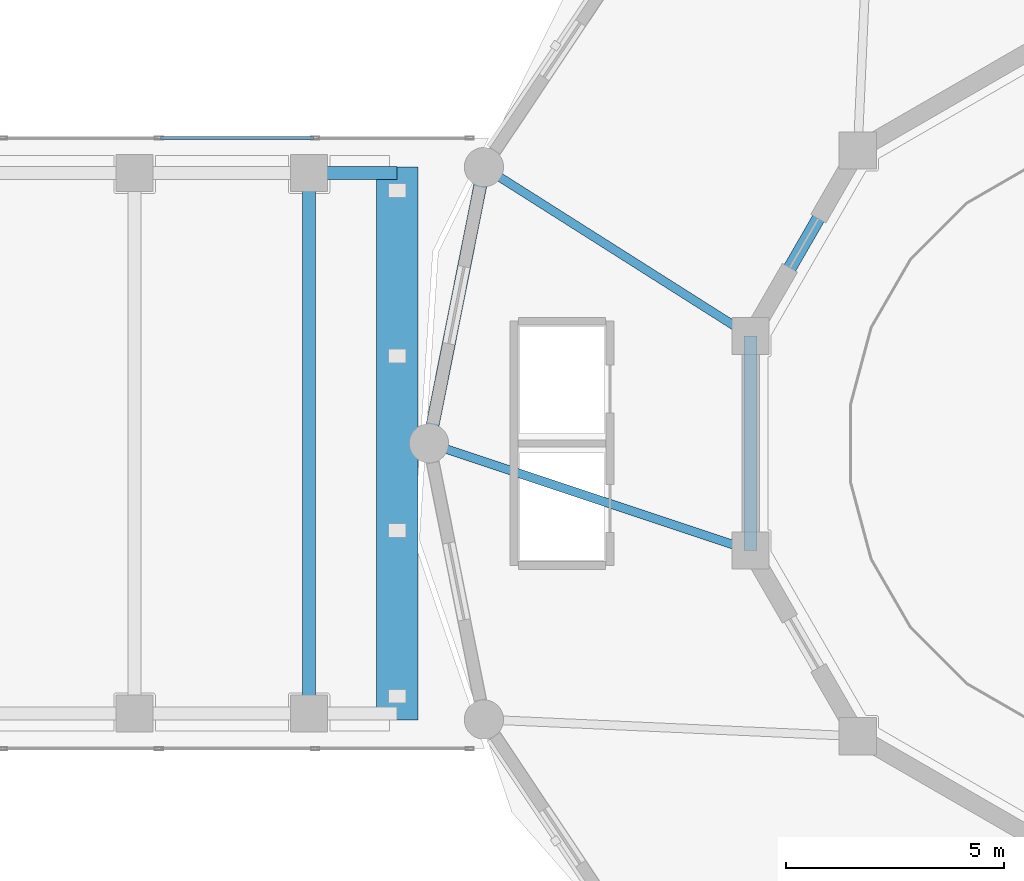
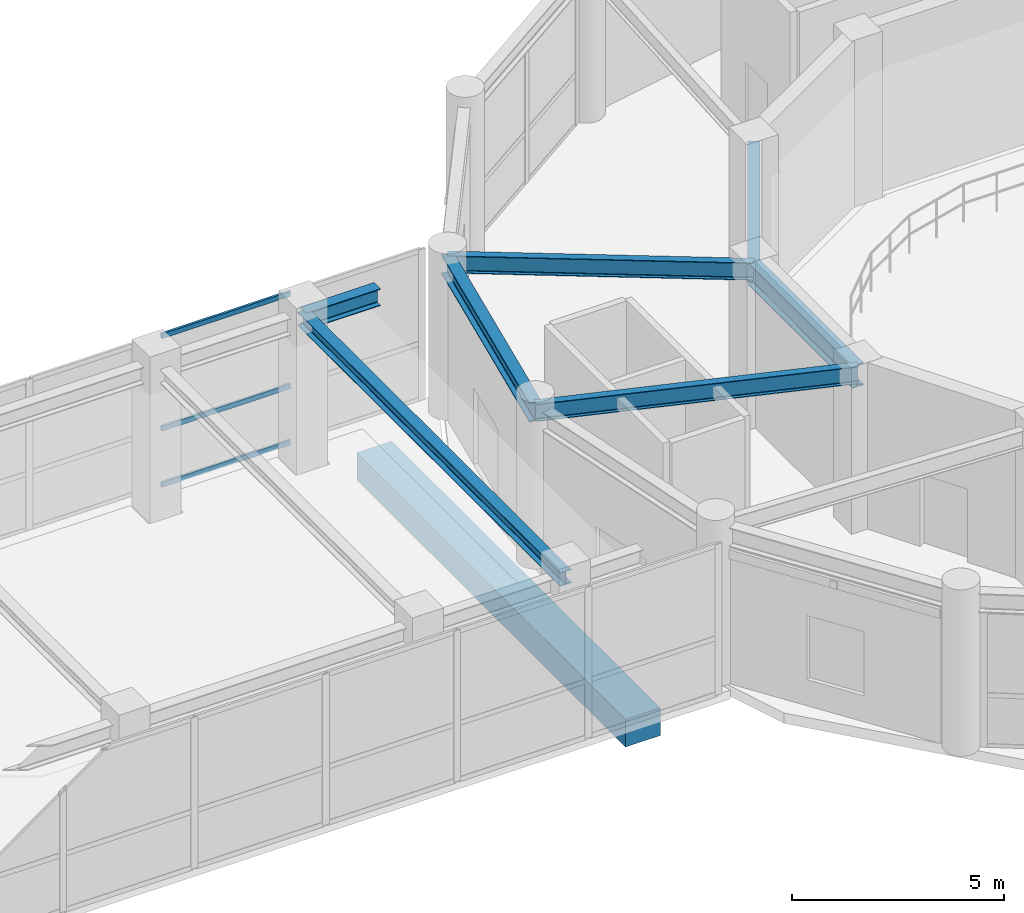
# One storey, part 23 of 44: 8 beams, 3 members, 1 element without a shape of its own.
"""IFC4 building model written with IfcOpenShell, lengths in metres."""

from ifc_helpers import new_model, si_unit, derived_unit, direction, frame, origin, origin_2d, place, context, subcontext, project, spatial, rectangle, hollow_rectangle, i_section, extrude, source, transform, mapped, material, layer, layer_set, material_profile, profile_set, type_object, element, aggregate, save


model = new_model("IFC4")

# Units and contexts
model_context = context("Model", 3, precision=1e-05, world=origin(), true_north=direction((0.0, 1.0)))
body_context = subcontext(model_context, "Body", "Model", "MODEL_VIEW")
ifc_project = project(units=[si_unit("LENGTHUNIT", "METRE"), si_unit("AREAUNIT", "SQUARE_METRE"), si_unit("VOLUMEUNIT", "CUBIC_METRE"), si_unit("PLANEANGLEUNIT", "RADIAN"), si_unit("MASSUNIT", "GRAM", prefix="KILO"), derived_unit("THERMALTRANSMITTANCEUNIT", [(si_unit("POWERUNIT", "WATT"), 1), (si_unit("LENGTHUNIT", "METRE"), -2), (si_unit("THERMODYNAMICTEMPERATUREUNIT", "KELVIN"), -1)])], contexts=[model_context])

# Site, building, storey
site_placement = place(None, origin())
site = spatial("IfcSite", under=ifc_project, at=site_placement, CompositionType="ELEMENT")
building_placement = place(site_placement, origin())
building = spatial("IfcBuilding", under=site, at=building_placement, Name="Korsvarv Bourse and Concert Hall", CompositionType="ELEMENT")
storey_placement = place(building_placement, frame((0.0, 0.0, 9.60009765625)))
storey = spatial("IfcBuildingStorey", under=building, at=storey_placement, Name="L02", CompositionType="ELEMENT", Elevation=9.60009765625)

# Beams
ifc_material_1 = material(Name="Concrete C50/60", Category="concrete")
ifc_material_profile_1 = material_profile(ifc_material_1, rectangle(XDim=0.949951171875, YDim=0.800048828125, at=origin_2d()), Name="RC-CRB 950x800")
ifc_profile_set_1 = profile_set([ifc_material_profile_1], Name="Concrete C50/60")
beam_type_1 = type_object("IfcBeamType", Name="BM-CRB-950", PredefinedType="BEAM", material=ifc_profile_set_1)
shared_shape_1 = source(origin(), body_context, "Body", "SweptSolid", [
    extrude(rectangle(XDim=0.949951171875, YDim=0.800048828125, at=origin_2d()), origin(), (0.0, 0.0, 1.0), 12.68017578125),
])
beam_1_placement = place(storey_placement, frame((89.52001953125, 29.659912109375, -0.780029296875), z_axis=(0.0, 1.0, 0.0), x_axis=(-1.0, 0.0, 0.0)))
element("IfcBeam", 1, at=beam_1_placement, inside=storey, type_object=beam_type_1, Name="L02 Concert Hall 950 mm Bridge Corbel Seat Beam B-CRB1", PredefinedType="BEAM", context=body_context, shape_type="MappedRepresentation", body=[
    mapped(shared_shape_1, transform((0.0, 0.0, 0.0), scale=1.0)),
])
ifc_material_2 = material(Name="Steel S355", Category="steel")
ifc_material_profile_2 = material_profile(ifc_material_2, i_section(OverallWidth=0.300048828125, OverallDepth=0.489990234375, WebThickness=0.011962890625, FlangeThickness=0.02294921875, FilletRadius=0.02392578125, at=origin_2d()), Name="HEA 500")
ifc_profile_set_2 = profile_set([ifc_material_profile_2], Name="Steel S355")
beam_type_2 = type_object("IfcBeamType", Name="BM-HEA500", PredefinedType="BEAM", material=ifc_profile_set_2)
shared_shape_2 = source(origin(), body_context, "Body", "SweptSolid", [
    extrude(i_section(OverallWidth=0.300048828125, OverallDepth=0.489990234375, WebThickness=0.011962890625, FlangeThickness=0.02294921875, FilletRadius=0.02392578125, at=origin_2d()), origin(), (0.0, 0.0, 1.0), 2.02001953125),
])
beam_2_placement = place(storey_placement, frame((87.5, 42.199951171875, 4.10498046875), z_axis=(1.0, 0.0, 0.0), x_axis=(0.0, 1.0, 0.0)))
element("IfcBeam", 2, at=beam_2_placement, inside=storey, type_object=beam_type_2, Name="L02 beam B-10", PredefinedType="BEAM", context=body_context, shape_type="MappedRepresentation", body=[
    mapped(shared_shape_2, transform((0.0, 0.0, 0.0), scale=1.0)),
])
ifc_material_profile_3 = material_profile(ifc_material_2, i_section(OverallWidth=0.300048828125, OverallDepth=0.389892578125, WebThickness=0.010986328125, FlangeThickness=0.01904296875, FilletRadius=0.02099609375, at=origin_2d()), Name="HEA 400")
ifc_profile_set_3 = profile_set([ifc_material_profile_3], Name="Steel S355")
beam_type_3 = type_object("IfcBeamType", Name="BM-HEA400", PredefinedType="BEAM", material=ifc_profile_set_3)
shared_shape_3 = source(origin(), body_context, "Body", "SweptSolid", [
    extrude(i_section(OverallWidth=0.300048828125, OverallDepth=0.389892578125, WebThickness=0.010986328125, FlangeThickness=0.01904296875, FilletRadius=0.02099609375, at=origin_2d()), origin(), (0.0, 0.0, 1.0), 12.39990234375),
])
beam_3_placement = place(storey_placement, frame((87.5, 29.800048828125, 4.15478515625), z_axis=(0.0, 1.0, 0.0), x_axis=(-1.0, 0.0, 0.0)))
element("IfcBeam", 3, at=beam_3_placement, inside=storey, type_object=beam_type_3, Name="L02 beam B-11", PredefinedType="BEAM", context=body_context, shape_type="MappedRepresentation", body=[
    mapped(shared_shape_3, transform((0.0, 0.0, 0.0), scale=1.0)),
])
ifc_material_profile_4 = material_profile(ifc_material_2, i_section(OverallWidth=0.300048828125, OverallDepth=0.550048828125, WebThickness=0.014892578125, FlangeThickness=0.029052734375, FilletRadius=0.02392578125, at=origin_2d()), Name="HEB 550")
ifc_profile_set_4 = profile_set([ifc_material_profile_4], Name="Steel S355")
beam_type_4 = type_object("IfcBeamType", Name="BM-HEB550", PredefinedType="BEAM", material=ifc_profile_set_4)
shared_shape_4 = source(origin(), body_context, "Body", "SweptSolid", [
    extrude(i_section(OverallWidth=0.300048828125, OverallDepth=0.550048828125, WebThickness=0.014892578125, FlangeThickness=0.029052734375, FilletRadius=0.02392578125, at=origin_2d()), origin(), (0.0, 0.0, 1.0), 6.45751953125),
])
beam_4_placement = place(storey_placement, frame((91.509765625, 42.33349609375, 4.224853515625), z_axis=(-0.195083607229, -0.980786616034, 0.0), x_axis=(0.980786616034, -0.195083607229, 0.0)))
element("IfcBeam", 4, at=beam_4_placement, inside=storey, type_object=beam_type_4, Name="L02 beam B-06", PredefinedType="BEAM", context=body_context, shape_type="MappedRepresentation", body=[
    mapped(shared_shape_4, transform((0.0, 0.0, 0.0), scale=1.0)),
])
ifc_material_profile_5 = material_profile(ifc_material_2, i_section(OverallWidth=0.300048828125, OverallDepth=0.64990234375, WebThickness=0.01611328125, FlangeThickness=0.031005859375, FilletRadius=0.027099609375, at=origin_2d()), Name="HEB 650")
ifc_profile_set_5 = profile_set([ifc_material_profile_5], Name="Steel S355")
beam_type_5 = type_object("IfcBeamType", Name="BM-HEB650", PredefinedType="BEAM", material=ifc_profile_set_5)
shared_shape_5 = source(origin(), body_context, "Body", "SweptSolid", [
    extrude(i_section(OverallWidth=0.300048828125, OverallDepth=0.64990234375, WebThickness=0.01611328125, FlangeThickness=0.031005859375, FilletRadius=0.027099609375, at=origin_2d()), origin(), (0.0, 0.0, 1.0), 4.91748046875),
])
for number, where, z_axis, x_axis, name in (
    (5, (100.08251953125, 42.717529296875, 4.1748046875), (-0.499988900423, -0.866031812033, 0.0), (0.866031812033, -0.499988900423, 0.0), "L02 beam B-04"),
    (6, (97.623779296875, 38.458740234375, 4.1748046875), (0.0, -1.0, 0.0), (1.0, 0.0, 0.0), "L02 beam B-04"),
):
    element("IfcBeam", number, at=place(storey_placement, frame(where, z_axis=z_axis, x_axis=x_axis)), inside=storey, type_object=beam_type_5, Name=name, PredefinedType="BEAM", context=body_context, shape_type="MappedRepresentation", body=[
        mapped(shared_shape_5, transform((0.0, 0.0, 0.0), scale=1.0)),
    ])
ifc_material_profile_6 = material_profile(ifc_material_2, i_section(OverallWidth=0.199951171875, OverallDepth=0.5, WebThickness=0.01025390625, FlangeThickness=0.01611328125, FilletRadius=0.02099609375, at=origin_2d()), Name="IPE 500")
ifc_profile_set_6 = profile_set([ifc_material_profile_6], Name="Steel S355")
beam_type_6 = type_object("IfcBeamType", Name="BM-IPE500", PredefinedType="JOIST", material=ifc_profile_set_6)
shared_shape_6 = source(origin(), body_context, "Body", "SweptSolid", [
    extrude(i_section(OverallWidth=0.199951171875, OverallDepth=0.5, WebThickness=0.01025390625, FlangeThickness=0.01611328125, FilletRadius=0.02099609375, at=origin_2d()), origin(), (0.0, 0.0, 1.0), 7.77294921875),
])
beam_5_placement = place(storey_placement, frame((97.623779296875, 33.541259765625, 4.25), z_axis=(-0.948651884177, 0.316321992039, 0.0), x_axis=(-0.316321992039, -0.948651884177, 0.0)))
element("IfcBeam", 7, at=beam_5_placement, inside=storey, type_object=beam_type_6, Name="L02 beam J-03", PredefinedType="JOIST", context=body_context, shape_type="MappedRepresentation", body=[
    mapped(shared_shape_6, transform((0.0, 0.0, 0.0), scale=1.0)),
])
shared_shape_7 = source(origin(), body_context, "Body", "SweptSolid", [
    extrude(i_section(OverallWidth=0.199951171875, OverallDepth=0.5, WebThickness=0.01025390625, FlangeThickness=0.01611328125, FilletRadius=0.02099609375, at=origin_2d()), origin(), (0.0, 0.0, 1.0), 7.238525390625),
])
beam_6_placement = place(storey_placement, frame((97.623779296875, 38.458740234375, 4.25), z_axis=(-0.844659971835, 0.53530321499, 0.0), x_axis=(-0.53530321499, -0.844659971835, 0.0)))
element("IfcBeam", 8, at=beam_6_placement, inside=storey, type_object=beam_type_6, Name="L02 beam J-03", PredefinedType="JOIST", context=body_context, shape_type="MappedRepresentation", body=[
    mapped(shared_shape_7, transform((0.0, 0.0, 0.0), scale=1.0)),
])

# Curtain wall, members
ifc_material_3 = material(Name="Anodised aluminium and triple low-E glazing", Category="glass")
ifc_layer = layer(ifc_material_3, 0.239990234375)
ifc_layer_set = layer_set([ifc_layer], Name="Anodised aluminium and triple low-E glazing")
curtain_wall_type = type_object("IfcCurtainWallType", Name="CW-SYS-5", PredefinedType="NOTDEFINED", material=ifc_layer_set)
curtain_wall_placement = place(storey_placement, origin())
curtain_wall = element("IfcCurtainWall", 9, at=curtain_wall_placement, inside=storey, type_object=curtain_wall_type, Name="L02 CW5 curtain wall CW-L02-LKN", PredefinedType="NOTDEFINED")
ifc_material_4 = material(Name="Extruded aluminium EN AW-6063 T66", Category="aluminium")
ifc_material_profile_7 = material_profile(ifc_material_4, hollow_rectangle(XDim=0.06494140625, YDim=0.139892578125, WallThickness=0.00390625, at=origin_2d()), Name="ALU-T 65x140")
ifc_profile_set_7 = profile_set([ifc_material_profile_7], Name="Extruded aluminium EN AW-6063 T66")
member_type = type_object("IfcMemberType", Name="CWT-140", PredefinedType="USERDEFINED", material=ifc_profile_set_7)
shared_shape_8 = source(origin(), body_context, "Body", "SweptSolid", [
    extrude(hollow_rectangle(XDim=0.06494140625, YDim=0.139892578125, WallThickness=0.00390625, at=origin_2d()), origin(), (0.0, 0.0, 1.0), 3.510009765625),
])
member_1_placement = place(storey_placement, frame((84.094970703125, 43.0, 0.032470703125), z_axis=(1.0, 0.0, 0.0), x_axis=(0.0, 1.0, 0.0)))
member_1 = element("IfcMember", 10, at=member_1_placement, type_object=member_type, Name="CW5 transom 6.1", ObjectType="TRANSOM", PredefinedType="USERDEFINED", context=body_context, shape_type="MappedRepresentation", body=[
    mapped(shared_shape_8, transform((0.0, 0.0, 0.0), scale=1.0)),
])
member_2_placement = place(storey_placement, frame((84.094970703125, 43.0, 1.65283203125), z_axis=(1.0, 0.0, 0.0), x_axis=(0.0, 1.0, 0.0)))
member_2 = element("IfcMember", 11, at=member_2_placement, type_object=member_type, Name="CW5 transom 6.2", ObjectType="TRANSOM", PredefinedType="USERDEFINED", context=body_context, shape_type="MappedRepresentation", body=[
    mapped(shared_shape_8, transform((0.0, 0.0, 0.0), scale=1.0)),
])
member_3_placement = place(storey_placement, frame((84.094970703125, 43.0, 4.3173828125), z_axis=(1.0, 0.0, 0.0), x_axis=(0.0, 1.0, 0.0)))
member_3 = element("IfcMember", 12, at=member_3_placement, type_object=member_type, Name="CW5 transom 6.3", ObjectType="TRANSOM", PredefinedType="USERDEFINED", context=body_context, shape_type="MappedRepresentation", body=[
    mapped(shared_shape_8, transform((0.0, 0.0, 0.0), scale=1.0)),
])
aggregate(curtain_wall, [member_1, member_2, member_3])

save(model, "model.ifc")
